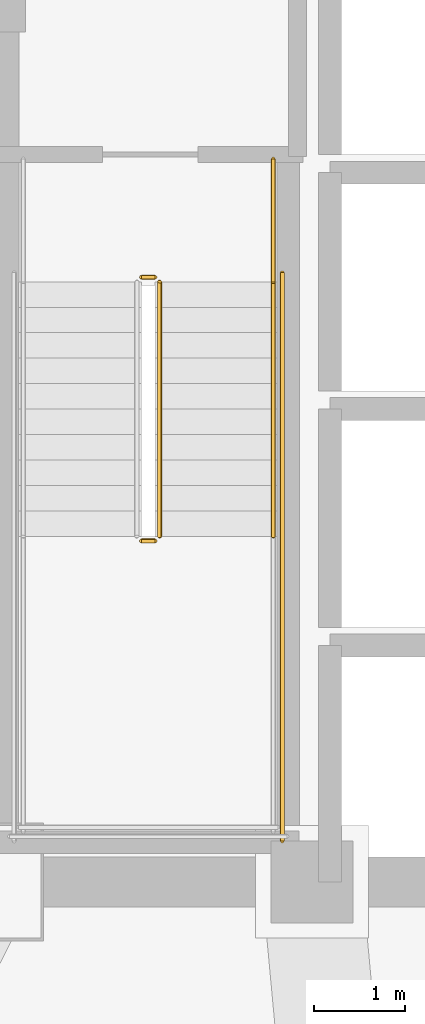
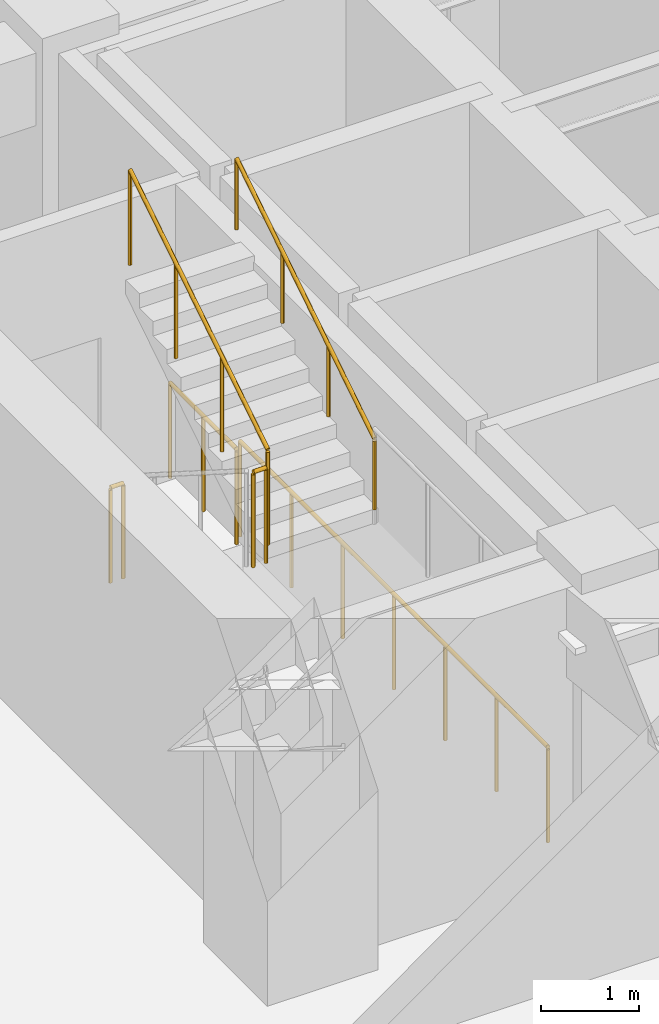
# One storey, part 15 of 18: 6 railings.
"""IFC4 building model written with IfcOpenShell, lengths in metres."""

from ifc_helpers import new_model, si_unit, direction, frame, origin, origin_2d, place, context, subcontext, project, spatial, circle, extrude, material, type_object, element, save


model = new_model("IFC4")

# Units and contexts
model_context = context("Model", 3, precision=1e-05, world=origin(), true_north=direction((0.0, 1.0)))
body_context = subcontext(model_context, "Body", "Model", "MODEL_VIEW")
ifc_project = project(units=[si_unit("LENGTHUNIT", "METRE"), si_unit("AREAUNIT", "SQUARE_METRE"), si_unit("VOLUMEUNIT", "CUBIC_METRE"), si_unit("PLANEANGLEUNIT", "RADIAN"), si_unit("MASSUNIT", "GRAM", prefix="KILO")], contexts=[model_context])

# Site, building, storey
site_placement = place(None, origin())
site = spatial("IfcSite", under=ifc_project, at=site_placement, CompositionType="ELEMENT")
building_placement = place(site_placement, origin())
building = spatial("IfcBuilding", under=site, at=building_placement, Name="Voryun Gate Residences", CompositionType="ELEMENT")
storey_placement = place(building_placement, frame((0.0, 0.0, 85.800048828125)))
storey = spatial("IfcBuildingStorey", under=building, at=storey_placement, Name="L20", CompositionType="ELEMENT", Elevation=85.800048828125)

# Railings
ifc_material_1 = material(Name="Painted steel", Category="steel")
railing_type_1 = type_object("IfcRailingType", Name="RAIL_STAIR_GUARD_1200", PredefinedType="GUARDRAIL", material=ifc_material_1)
railing_1_placement = place(storey_placement, frame((-17.47509765625, -3.64990234375, 1.949951171875)))
element("IfcRailing", 1, at=railing_1_placement, inside=storey, type_object=railing_type_1, Name="L20 ST-W1 stair guard 2", PredefinedType="GUARDRAIL", context=body_context, shape_type="SweptSolid", body=[
    extrude(circle(Radius=0.02392578125, at=origin_2d()), frame((0.0, 0.0, 1.17578125), z_axis=(1.0, 0.0, 0.0), x_axis=(0.0, 1.0, 0.0)), (0.0, 0.0, 1.0), 0.150146484375),
    extrude(circle(Radius=0.02099609375, at=origin_2d()), origin(), (0.0, 0.0, 1.0), 1.15185546875),
    extrude(circle(Radius=0.02099609375, at=origin_2d()), frame((0.150146484375, 0.0, 0.0)), (0.0, 0.0, 1.0), 1.15185546875),
])
railing_2_placement = place(storey_placement, frame((-17.27490234375, -3.60009765625, 2.127197265625)))
element("IfcRailing", 2, at=railing_2_placement, inside=storey, type_object=railing_type_1, Name="L20 ST-W1 stair guard 6", PredefinedType="GUARDRAIL", context=body_context, shape_type="SweptSolid", body=[
    extrude(circle(Radius=0.02392578125, at=origin_2d()), frame((0.0, 0.0, 1.17578125), z_axis=(0.0, 0.844908973607, 0.534910110503), x_axis=(-1.0, 0.0, 0.0)), (0.0, 0.0, 1.0), 3.31396484375),
    extrude(circle(Radius=0.02099609375, at=origin_2d()), origin(), (0.0, 0.0, 1.0), 1.15185546875),
    extrude(circle(Radius=0.02099609375, at=origin_2d()), frame((0.0, 0.933349609375, 0.5908203125)), (0.0, 0.0, 1.0), 1.15185546875),
    extrude(circle(Radius=0.02099609375, at=origin_2d()), frame((0.0, 1.86669921875, 1.181884765625)), (0.0, 0.0, 1.0), 1.15185546875),
    extrude(circle(Radius=0.02099609375, at=origin_2d()), frame((0.0, 2.800048828125, 1.772705078125)), (0.0, 0.0, 1.0), 1.15185546875),
])
railing_3_placement = place(storey_placement, frame((-17.47509765625, -0.75, 0.0)))
element("IfcRailing", 3, at=railing_3_placement, inside=storey, type_object=railing_type_1, Name="L20 ST-W1 stair guard 7", PredefinedType="GUARDRAIL", context=body_context, shape_type="SweptSolid", body=[
    extrude(circle(Radius=0.02392578125, at=origin_2d()), frame((0.0, 0.0, 1.17578125), z_axis=(1.0, 0.0, 0.0), x_axis=(0.0, 1.0, 0.0)), (0.0, 0.0, 1.0), 0.150146484375),
    extrude(circle(Radius=0.02099609375, at=origin_2d()), origin(), (0.0, 0.0, 1.0), 1.15185546875),
    extrude(circle(Radius=0.02099609375, at=origin_2d()), frame((0.150146484375, 0.0, 0.0)), (0.0, 0.0, 1.0), 1.15185546875),
])
railing_4_placement = place(storey_placement, frame((-16.02490234375, 0.550048828125, 0.0)))
element("IfcRailing", 4, at=railing_4_placement, inside=storey, type_object=railing_type_1, Name="L20 ST-W1 stair guard 9", PredefinedType="GUARDRAIL", context=body_context, shape_type="SweptSolid", body=[
    extrude(circle(Radius=0.02392578125, at=origin_2d()), frame((0.0, 0.0, 1.17578125), z_axis=(0.0, -1.0, 0.0), x_axis=(1.0, 0.0, 0.0)), (0.0, 0.0, 1.0), 1.35009765625),
    extrude(circle(Radius=0.02099609375, at=origin_2d()), origin(), (0.0, 0.0, 1.0), 1.15185546875),
    extrude(circle(Radius=0.02099609375, at=origin_2d()), frame((0.0, -0.675048828125, 0.0)), (0.0, 0.0, 1.0), 1.15185546875),
    extrude(circle(Radius=0.02099609375, at=origin_2d()), frame((0.0, -1.35009765625, 0.0)), (0.0, 0.0, 1.0), 1.15185546875),
])
railing_5_placement = place(storey_placement, frame((-15.925048828125, -0.699951171875, 0.0)))
element("IfcRailing", 5, at=railing_5_placement, inside=storey, type_object=railing_type_1, Name="L20 ST-W1 stair guard 11", PredefinedType="GUARDRAIL", context=body_context, shape_type="SweptSolid", body=[
    extrude(circle(Radius=0.02392578125, at=origin_2d()), frame((0.0, 0.0, 1.17578125), z_axis=(0.0, -1.0, 0.0), x_axis=(1.0, 0.0, 0.0)), (0.0, 0.0, 1.0), 6.25),
    extrude(circle(Radius=0.02099609375, at=origin_2d()), origin(), (0.0, 0.0, 1.0), 1.15185546875),
    extrude(circle(Radius=0.02099609375, at=origin_2d()), frame((0.0, -1.041748046875, 0.0)), (0.0, 0.0, 1.0), 1.15185546875),
    extrude(circle(Radius=0.02099609375, at=origin_2d()), frame((0.0, -2.083251953125, 0.0)), (0.0, 0.0, 1.0), 1.15185546875),
    extrude(circle(Radius=0.02099609375, at=origin_2d()), frame((0.0, -3.125, 0.0)), (0.0, 0.0, 1.0), 1.15185546875),
    extrude(circle(Radius=0.02099609375, at=origin_2d()), frame((0.0, -4.166748046875, 0.0)), (0.0, 0.0, 1.0), 1.15185546875),
    extrude(circle(Radius=0.02099609375, at=origin_2d()), frame((0.0, -5.208251953125, 0.0)), (0.0, 0.0, 1.0), 1.15185546875),
    extrude(circle(Radius=0.02099609375, at=origin_2d()), frame((0.0, -6.25, 0.0)), (0.0, 0.0, 1.0), 1.15185546875),
])
ifc_material_2 = material(Name="Painted steel", Category="steel")
railing_type_2 = type_object("IfcRailingType", Name="RAIL_STAIR_HANDRAIL_900", PredefinedType="HANDRAIL", material=ifc_material_2)
railing_6_placement = place(storey_placement, frame((-16.02490234375, -3.60009765625, 2.127197265625)))
element("IfcRailing", 6, at=railing_6_placement, inside=storey, type_object=railing_type_2, Name="L20 ST-W1 stair handrail 2", PredefinedType="HANDRAIL", context=body_context, shape_type="SweptSolid", body=[
    extrude(circle(Radius=0.02392578125, at=origin_2d()), frame((0.0, 0.0, 0.8759765625), z_axis=(0.0, 0.844908973607, 0.534910110503), x_axis=(-1.0, 0.0, 0.0)), (0.0, 0.0, 1.0), 3.31396484375),
    extrude(circle(Radius=0.02099609375, at=origin_2d()), origin(), (0.0, 0.0, 1.0), 0.851806640625),
    extrude(circle(Radius=0.02099609375, at=origin_2d()), frame((0.0, 0.933349609375, 0.5908203125)), (0.0, 0.0, 1.0), 0.851806640625),
    extrude(circle(Radius=0.02099609375, at=origin_2d()), frame((0.0, 1.86669921875, 1.181884765625)), (0.0, 0.0, 1.0), 0.851806640625),
    extrude(circle(Radius=0.02099609375, at=origin_2d()), frame((0.0, 2.800048828125, 1.772705078125)), (0.0, 0.0, 1.0), 0.851806640625),
])

save(model, "model.ifc")
